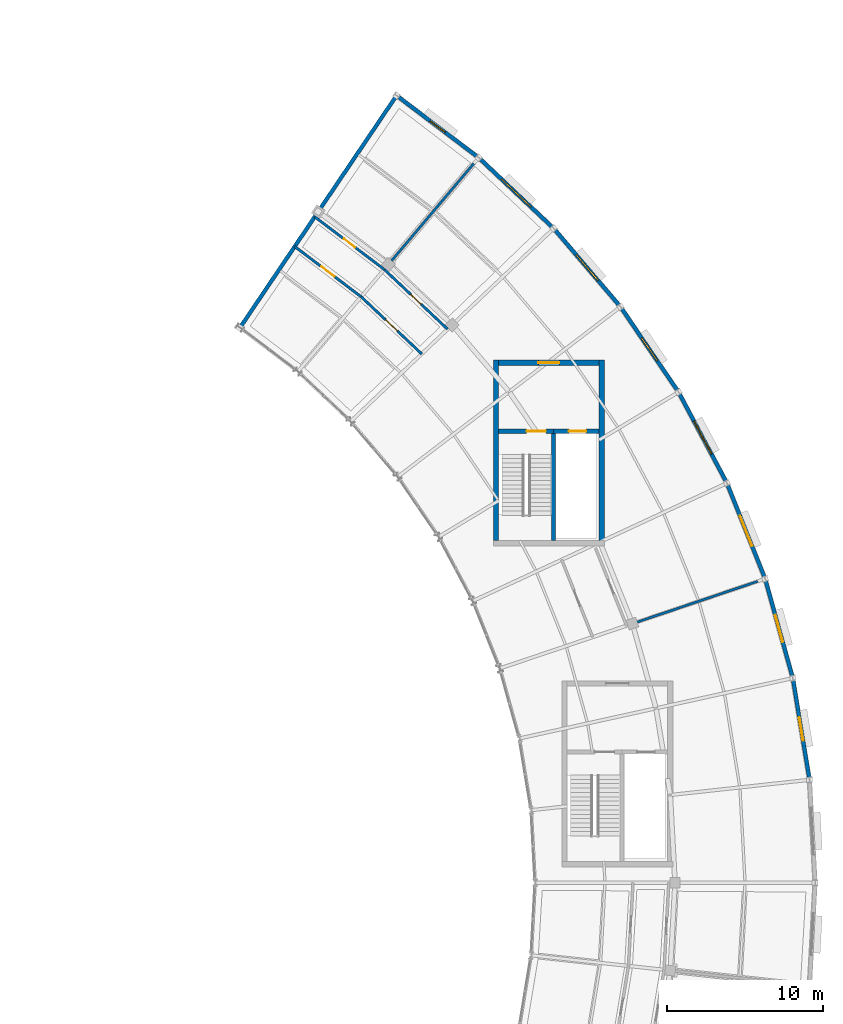
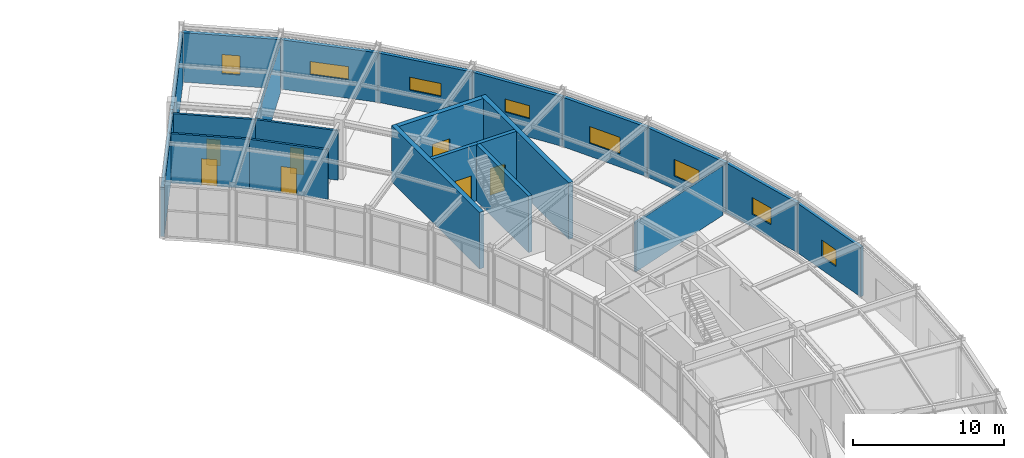
# One storey, part 95 of 108: 22 walls, 8 windows, 7 doors, 15 openings.
"""IFC4 building model written with IfcOpenShell, lengths in metres."""

from ifc_helpers import new_model, si_unit, direction, frame, frame_2d, origin, place, context, subcontext, project, spatial, rectangle, extrude, material, layer, layer_set, type_object, element, fill, save


model = new_model("IFC4")

# Units and contexts
model_context = context("Model", 3, precision=1e-05, world=origin(), true_north=direction((0.0, 1.0)))
body_context = subcontext(model_context, "Body", "Model", "MODEL_VIEW")
ifc_project = project(units=[si_unit("LENGTHUNIT", "METRE"), si_unit("AREAUNIT", "SQUARE_METRE"), si_unit("VOLUMEUNIT", "CUBIC_METRE"), si_unit("PLANEANGLEUNIT", "RADIAN"), si_unit("MASSUNIT", "GRAM", prefix="KILO")], contexts=[model_context])

# Site, building, storey
site_placement = place(None, origin())
site = spatial("IfcSite", under=ifc_project, at=site_placement, CompositionType="ELEMENT")
building_placement = place(site_placement, origin())
building = spatial("IfcBuilding", under=site, at=building_placement, Name="Tarnveldt Headland Concert Hall", CompositionType="ELEMENT")
storey_placement = place(building_placement, frame((0.0, 0.0, 9.60009765625)))
storey = spatial("IfcBuildingStorey", under=building, at=storey_placement, Name="L02", CompositionType="ELEMENT", Elevation=9.60009765625)

# Wall, opening, door
ifc_material_1 = material(Name="Concrete C40/50", Category="concrete")
ifc_layer_1 = layer(ifc_material_1, 0.35009765625, Name="Concrete C40/50", Category="concrete")
ifc_layer_set_1 = layer_set([ifc_layer_1], Name="Concrete C40/50")
wall_type_1 = type_object("IfcWallType", Name="WL-CR350", PredefinedType="SHEAR", material=ifc_layer_set_1)
wall_1_placement = place(storey_placement, frame((158.175048828125, 93.39990234375, 0.0), z_axis=(0.0, 0.0, 1.0), x_axis=(1.0, 0.0, 0.0)))
wall_1 = element("IfcWall", 1, at=wall_1_placement, inside=storey, type_object=wall_type_1, Name="Core C3 north shear wall L02", PredefinedType="SHEAR", context=body_context, shape_type="SweptSolid", body=[
    extrude(rectangle(XDim=6.449951171875, YDim=0.35009765625, at=frame_2d((3.22509765625, 0.0))), origin(), (0.0, 0.0, 1.0), 4.5498046875),
])
opening_1_placement = place(wall_1_placement, frame((2.550048828125, 0.0, 0.0)))
opening_1 = element("IfcOpeningElement", 2, at=opening_1_placement, cuts=wall_1, Name="Opening FFD-C3-L02", PredefinedType="OPENING", context=body_context, shape_type="SweptSolid", body=[
    extrude(rectangle(XDim=1.35009765625, YDim=2.199951171875, at=frame_2d((0.675048828125, 1.10009765625))), frame((0.0, 0.18505859375, 0.0), z_axis=(0.0, -1.0, 0.0), x_axis=(1.0, 0.0, 0.0)), (0.0, 0.0, 1.0), 0.3701171875),
])
ifc_material_2 = material(Name="Galvanised painted steel sheet", Category="steel")
door_type_1 = type_object("IfcDoorType", Name="DR-FF135", OperationType="NOTDEFINED", PredefinedType="DOOR", material=ifc_material_2)
door_1_placement = place(opening_1_placement, origin())
door_1 = element("IfcDoor", 3, at=door_1_placement, inside=storey, type_object=door_type_1, Name="Core C3 firefighting lobby entrance door L02", OperationType="SINGLE_SWING_RIGHT", OverallHeight=2.199951171875, OverallWidth=1.35009765625, PredefinedType="DOOR", context=body_context, shape_type="SweptSolid", body=[
    extrude(rectangle(XDim=1.35009765625, YDim=2.199951171875, at=frame_2d((0.675048828125, 1.10009765625))), frame((0.0, 0.02490234375, 0.0), z_axis=(0.0, -1.0, 0.0), x_axis=(1.0, 0.0, 0.0)), (0.0, 0.0, 1.0), 0.050048828125),
])
fill(opening_1, door_1)

# Walls
for number, where, z_axis, x_axis, name in (
    (4, (158.0, 81.97509765625, 0.0), (0.0, 0.0, 1.0), (0.0, 1.0, 0.0), "Core C3 west shear wall L02"),
    (5, (164.800048828125, 81.97509765625, 0.0), (0.0, 0.0, 1.0), (0.0, 1.0, 0.0), "Core C3 east shear wall L02"),
):
    element("IfcWall", number, at=place(storey_placement, frame(where, z_axis=z_axis, x_axis=x_axis)), inside=storey, type_object=wall_type_1, Name=name, PredefinedType="SHEAR", context=body_context, shape_type="SweptSolid", body=[
        extrude(rectangle(XDim=11.599853515625, YDim=0.35009765625, at=frame_2d((5.7998046875, 0.0))), origin(), (0.0, 0.0, 1.0), 4.5498046875),
    ])

# Wall, opening, window
ifc_material_3 = material(Name="Coral-toned precast concrete C40/50", Category="concrete")
ifc_layer_2 = layer(ifc_material_3, 0.25, Name="Coral-toned precast concrete C40/50", Category="concrete")
ifc_layer_set_2 = layer_set([ifc_layer_2], Name="Coral-toned precast concrete C40/50")
wall_type_2 = type_object("IfcWallType", Name="WL-EX250", PredefinedType="SOLIDWALL", material=ifc_layer_set_2)
wall_2_placement = place(storey_placement, frame((177.070068359375, 73.12548828125, 0.0), z_axis=(0.0, 0.0, 1.0), x_axis=(0.162178892589, -0.986761372774, 0.0)))
wall_2 = element("IfcWall", 6, at=wall_2_placement, inside=storey, type_object=wall_type_2, Name="External precast wall L02-136", PredefinedType="SOLIDWALL", context=body_context, shape_type="SweptSolid", body=[
    extrude(rectangle(XDim=6.58154296875, YDim=0.25, at=frame_2d((3.290771484375, 0.0))), origin(), (0.0, 0.0, 1.0), 3.98779296875),
])
opening_2_placement = place(wall_2_placement, frame((2.540771484375, 0.0, 1.050048828125)))
opening_2 = element("IfcOpeningElement", 7, at=opening_2_placement, cuts=wall_2, Name="Opening W-C062", PredefinedType="OPENING", context=body_context, shape_type="SweptSolid", body=[
    extrude(rectangle(XDim=1.5, YDim=1.35009765625, at=frame_2d((0.75, 0.675048828125))), frame((0.0, 0.135009765625, 0.0), z_axis=(0.0, -1.0, 0.0), x_axis=(1.0, 0.0, 0.0)), (0.0, 0.0, 1.0), 0.27001953125),
])
ifc_material_4 = material(Name="Acoustic laminated low-iron double glazing", Category="glass")
window_type_1 = type_object("IfcWindowType", Name="WN-17", PartitioningType="SINGLE_PANEL", PredefinedType="WINDOW", material=ifc_material_4)
window_1_placement = place(opening_2_placement, origin())
window_1 = element("IfcWindow", 8, at=window_1_placement, inside=storey, type_object=window_type_1, Name="Crescent coastal studio window L02-11", OverallHeight=1.35009765625, OverallWidth=1.5, PartitioningType="SINGLE_PANEL", PredefinedType="WINDOW", context=body_context, shape_type="SweptSolid", body=[
    extrude(rectangle(XDim=1.5, YDim=1.35009765625, at=frame_2d((0.75, 0.675048828125))), frame((0.0, 0.030029296875, 0.0), z_axis=(0.0, -1.0, 0.0), x_axis=(1.0, 0.0, 0.0)), (0.0, 0.0, 1.0), 0.06005859375),
])
fill(opening_2, window_1)

wall_3_placement = place(storey_placement, frame((175.296630859375, 79.50439453125, 0.0), z_axis=(0.0, 0.0, 1.0), x_axis=(0.268139380464, -0.96338012884, 0.0)))
wall_3 = element("IfcWall", 9, at=wall_3_placement, inside=storey, type_object=wall_type_2, Name="External precast wall L02-137", PredefinedType="SOLIDWALL", context=body_context, shape_type="SweptSolid", body=[
    extrude(rectangle(XDim=6.5810546875, YDim=0.25, at=frame_2d((3.29052734375, 0.0))), origin(), (0.0, 0.0, 1.0), 3.98779296875),
])
opening_3_placement = place(wall_3_placement, frame((2.390625, 0.0, 1.050048828125)))
opening_3 = element("IfcOpeningElement", 10, at=opening_3_placement, cuts=wall_3, Name="Opening W-C063", PredefinedType="OPENING", context=body_context, shape_type="SweptSolid", body=[
    extrude(rectangle(XDim=1.800048828125, YDim=1.35009765625, at=frame_2d((0.89990234375, 0.675048828125))), frame((0.0, 0.135009765625, 0.0), z_axis=(0.0, -1.0, 0.0), x_axis=(1.0, 0.0, 0.0)), (0.0, 0.0, 1.0), 0.27001953125),
])
window_type_2 = type_object("IfcWindowType", Name="WN-18", PartitioningType="SINGLE_PANEL", PredefinedType="WINDOW", material=ifc_material_4)
window_2_placement = place(opening_3_placement, origin())
window_2 = element("IfcWindow", 11, at=window_2_placement, inside=storey, type_object=window_type_2, Name="Crescent coastal studio window L02-12", OverallHeight=1.35009765625, OverallWidth=1.800048828125, PartitioningType="SINGLE_PANEL", PredefinedType="WINDOW", context=body_context, shape_type="SweptSolid", body=[
    extrude(rectangle(XDim=1.800048828125, YDim=1.35009765625, at=frame_2d((0.89990234375, 0.675048828125))), frame((0.0, 0.030029296875, 0.0), z_axis=(0.0, -1.0, 0.0), x_axis=(1.0, 0.0, 0.0)), (0.0, 0.0, 1.0), 0.06005859375),
])
fill(opening_3, window_2)

wall_4_placement = place(storey_placement, frame((172.842041015625, 85.65380859375, 0.0), z_axis=(0.0, 0.0, 1.0), x_axis=(0.371013273361, -0.928627563122, 0.0)))
wall_4 = element("IfcWall", 12, at=wall_4_placement, inside=storey, type_object=wall_type_2, Name="External precast wall L02-138", PredefinedType="SOLIDWALL", context=body_context, shape_type="SweptSolid", body=[
    extrude(rectangle(XDim=6.5810546875, YDim=0.25, at=frame_2d((3.29052734375, 0.0))), origin(), (0.0, 0.0, 1.0), 3.98779296875),
])
opening_4_placement = place(wall_4_placement, frame((2.240478515625, 0.0, 1.050048828125)))
opening_4 = element("IfcOpeningElement", 13, at=opening_4_placement, cuts=wall_4, Name="Opening W-C064", PredefinedType="OPENING", context=body_context, shape_type="SweptSolid", body=[
    extrude(rectangle(XDim=2.10009765625, YDim=1.35009765625, at=frame_2d((1.050048828125, 0.675048828125))), frame((0.0, 0.135009765625, 0.0), z_axis=(0.0, -1.0, 0.0), x_axis=(1.0, 0.0, 0.0)), (0.0, 0.0, 1.0), 0.27001953125),
])
window_type_3 = type_object("IfcWindowType", Name="WN-19", PartitioningType="SINGLE_PANEL", PredefinedType="WINDOW", material=ifc_material_4)
window_3_placement = place(opening_4_placement, origin())
window_3 = element("IfcWindow", 14, at=window_3_placement, inside=storey, type_object=window_type_3, Name="Crescent coastal studio window L02-13", OverallHeight=1.35009765625, OverallWidth=2.10009765625, PartitioningType="SINGLE_PANEL", PredefinedType="WINDOW", context=body_context, shape_type="SweptSolid", body=[
    extrude(rectangle(XDim=2.10009765625, YDim=1.35009765625, at=frame_2d((1.050048828125, 0.675048828125))), frame((0.0, 0.030029296875, 0.0), z_axis=(0.0, -1.0, 0.0), x_axis=(1.0, 0.0, 0.0)), (0.0, 0.0, 1.0), 0.06005859375),
])
fill(opening_4, window_3)

wall_5_placement = place(storey_placement, frame((169.735595703125, 91.5009765625, 0.0), z_axis=(0.0, 0.0, 1.0), x_axis=(0.469465310576, -0.882950917189, 0.0)))
wall_5 = element("IfcWall", 15, at=wall_5_placement, inside=storey, type_object=wall_type_2, Name="External precast wall L02-139", PredefinedType="SOLIDWALL", context=body_context, shape_type="SweptSolid", body=[
    extrude(rectangle(XDim=6.5810546875, YDim=0.25, at=frame_2d((3.29052734375, 0.0))), origin(), (0.0, 0.0, 1.0), 3.98779296875),
])
opening_5_placement = place(wall_5_placement, frame((2.090576171875, 0.0, 1.050048828125)))
opening_5 = element("IfcOpeningElement", 16, at=opening_5_placement, cuts=wall_5, Name="Opening W-C065", PredefinedType="OPENING", context=body_context, shape_type="SweptSolid", body=[
    extrude(rectangle(XDim=2.39990234375, YDim=1.35009765625, at=frame_2d((1.199951171875, 0.675048828125))), frame((0.0, 0.135009765625, 0.0), z_axis=(0.0, -1.0, 0.0), x_axis=(1.0, 0.0, 0.0)), (0.0, 0.0, 1.0), 0.27001953125),
])
window_type_4 = type_object("IfcWindowType", Name="WN-20", PartitioningType="SINGLE_PANEL", PredefinedType="WINDOW", material=ifc_material_4)
window_4_placement = place(opening_5_placement, origin())
window_4 = element("IfcWindow", 17, at=window_4_placement, inside=storey, type_object=window_type_4, Name="Crescent coastal studio window L02-14", OverallHeight=1.35009765625, OverallWidth=2.39990234375, PartitioningType="SINGLE_PANEL", PredefinedType="WINDOW", context=body_context, shape_type="SweptSolid", body=[
    extrude(rectangle(XDim=2.39990234375, YDim=1.35009765625, at=frame_2d((1.199951171875, 0.675048828125))), frame((0.0, 0.030029296875, 0.0), z_axis=(0.0, -1.0, 0.0), x_axis=(1.0, 0.0, 0.0)), (0.0, 0.0, 1.0), 0.06005859375),
])
fill(opening_5, window_4)

wall_6_placement = place(storey_placement, frame((166.013671875, 96.97705078125, 0.0), z_axis=(0.0, 0.0, 1.0), x_axis=(0.56240640933, -0.826860950067, 0.0)))
wall_6 = element("IfcWall", 18, at=wall_6_placement, inside=storey, type_object=wall_type_2, Name="External precast wall L02-140", PredefinedType="SOLIDWALL", context=body_context, shape_type="SweptSolid", body=[
    extrude(rectangle(XDim=6.581298828125, YDim=0.25, at=frame_2d((3.29052734375, 0.0))), origin(), (0.0, 0.0, 1.0), 3.98779296875),
])
opening_6_placement = place(wall_6_placement, frame((2.390625, 0.0, 1.5)))
opening_6 = element("IfcOpeningElement", 19, at=opening_6_placement, cuts=wall_6, Name="Opening W-C066", PredefinedType="OPENING", context=body_context, shape_type="SweptSolid", body=[
    extrude(rectangle(XDim=1.800048828125, YDim=1.050048828125, at=frame_2d((0.89990234375, 0.52490234375))), frame((0.0, 0.135009765625, 0.0), z_axis=(0.0, -1.0, 0.0), x_axis=(1.0, 0.0, 0.0)), (0.0, 0.0, 1.0), 0.27001953125),
])
window_type_5 = type_object("IfcWindowType", Name="WN-24", PartitioningType="SINGLE_PANEL", PredefinedType="WINDOW", material=ifc_material_4)
window_5_placement = place(opening_6_placement, origin())
window_5 = element("IfcWindow", 20, at=window_5_placement, inside=storey, type_object=window_type_5, Name="Crescent coastal studio window L02-15", OverallHeight=1.050048828125, OverallWidth=1.800048828125, PartitioningType="SINGLE_PANEL", PredefinedType="WINDOW", context=body_context, shape_type="SweptSolid", body=[
    extrude(rectangle(XDim=1.800048828125, YDim=1.050048828125, at=frame_2d((0.89990234375, 0.52490234375))), frame((0.0, 0.030029296875, 0.0), z_axis=(0.0, -1.0, 0.0), x_axis=(1.0, 0.0, 0.0)), (0.0, 0.0, 1.0), 0.06005859375),
])
fill(opening_6, window_5)

wall_7_placement = place(storey_placement, frame((161.72021484375, 102.017333984375, 0.0), z_axis=(0.0, 0.0, 1.0), x_axis=(0.648708464949, -0.761037007973, 0.0)))
wall_7 = element("IfcWall", 21, at=wall_7_placement, inside=storey, type_object=wall_type_2, Name="External precast wall L02-141", PredefinedType="SOLIDWALL", context=body_context, shape_type="SweptSolid", body=[
    extrude(rectangle(XDim=6.581298828125, YDim=0.25, at=frame_2d((3.29052734375, 0.0))), origin(), (0.0, 0.0, 1.0), 3.98779296875),
])
opening_7_placement = place(wall_7_placement, frame((2.190673828125, 0.0, 1.5)))
opening_7 = element("IfcOpeningElement", 22, at=opening_7_placement, cuts=wall_7, Name="Opening W-C067", PredefinedType="OPENING", context=body_context, shape_type="SweptSolid", body=[
    extrude(rectangle(XDim=2.199951171875, YDim=1.050048828125, at=frame_2d((1.10009765625, 0.52490234375))), frame((0.0, 0.135009765625, 0.0), z_axis=(0.0, -1.0, 0.0), x_axis=(1.0, 0.0, 0.0)), (0.0, 0.0, 1.0), 0.27001953125),
])
window_type_6 = type_object("IfcWindowType", Name="WN-25", PartitioningType="SINGLE_PANEL", PredefinedType="WINDOW", material=ifc_material_4)
window_6_placement = place(opening_7_placement, origin())
window_6 = element("IfcWindow", 23, at=window_6_placement, inside=storey, type_object=window_type_6, Name="Crescent coastal studio window L02-16", OverallHeight=1.050048828125, OverallWidth=2.199951171875, PartitioningType="SINGLE_PANEL", PredefinedType="WINDOW", context=body_context, shape_type="SweptSolid", body=[
    extrude(rectangle(XDim=2.199951171875, YDim=1.050048828125, at=frame_2d((1.10009765625, 0.52490234375))), frame((0.0, 0.030029296875, 0.0), z_axis=(0.0, -1.0, 0.0), x_axis=(1.0, 0.0, 0.0)), (0.0, 0.0, 1.0), 0.06005859375),
])
fill(opening_7, window_6)

wall_8_placement = place(storey_placement, frame((156.905517578125, 106.5625, 0.0), z_axis=(0.0, 0.0, 1.0), x_axis=(0.727377231984, -0.686237832235, 0.0)))
wall_8 = element("IfcWall", 24, at=wall_8_placement, inside=storey, type_object=wall_type_2, Name="External precast wall L02-142", PredefinedType="SOLIDWALL", context=body_context, shape_type="SweptSolid", body=[
    extrude(rectangle(XDim=6.581298828125, YDim=0.25, at=frame_2d((3.29052734375, 0.0))), origin(), (0.0, 0.0, 1.0), 3.98779296875),
])
opening_8_placement = place(wall_8_placement, frame((1.99072265625, 0.0, 1.5)))
opening_8 = element("IfcOpeningElement", 25, at=opening_8_placement, cuts=wall_8, Name="Opening W-C068", PredefinedType="OPENING", context=body_context, shape_type="SweptSolid", body=[
    extrude(rectangle(XDim=2.60009765625, YDim=1.050048828125, at=frame_2d((1.300048828125, 0.52490234375))), frame((0.0, 0.135009765625, 0.0), z_axis=(0.0, -1.0, 0.0), x_axis=(1.0, 0.0, 0.0)), (0.0, 0.0, 1.0), 0.27001953125),
])
window_type_7 = type_object("IfcWindowType", Name="WN-26", PartitioningType="SINGLE_PANEL", PredefinedType="WINDOW", material=ifc_material_4)
window_7_placement = place(opening_8_placement, origin())
window_7 = element("IfcWindow", 26, at=window_7_placement, inside=storey, type_object=window_type_7, Name="Crescent coastal studio window L02-17", OverallHeight=1.050048828125, OverallWidth=2.60009765625, PartitioningType="SINGLE_PANEL", PredefinedType="WINDOW", context=body_context, shape_type="SweptSolid", body=[
    extrude(rectangle(XDim=2.60009765625, YDim=1.050048828125, at=frame_2d((1.300048828125, 0.52490234375))), frame((0.0, 0.030029296875, 0.0), z_axis=(0.0, -1.0, 0.0), x_axis=(1.0, 0.0, 0.0)), (0.0, 0.0, 1.0), 0.06005859375),
])
fill(opening_8, window_7)

wall_9_placement = place(storey_placement, frame((151.626708984375, 110.55908203125, 0.0), z_axis=(0.0, 0.0, 1.0), x_axis=(0.797477783019, -0.603348311998, 0.0)))
wall_9 = element("IfcWall", 27, at=wall_9_placement, inside=storey, type_object=wall_type_2, Name="External precast wall L02-143", PredefinedType="SOLIDWALL", context=body_context, shape_type="SweptSolid", body=[
    extrude(rectangle(XDim=6.5810546875, YDim=0.25, at=frame_2d((3.29052734375, 0.0))), origin(), (0.0, 0.0, 1.0), 3.98779296875),
])
opening_9_placement = place(wall_9_placement, frame((2.690673828125, 0.0, 0.89990234375)))
opening_9 = element("IfcOpeningElement", 28, at=opening_9_placement, cuts=wall_9, Name="Opening W-C069", PredefinedType="OPENING", context=body_context, shape_type="SweptSolid", body=[
    extrude(rectangle(XDim=1.199951171875, YDim=1.550048828125, at=frame_2d((0.60009765625, 0.77490234375))), frame((0.0, 0.135009765625, 0.0), z_axis=(0.0, -1.0, 0.0), x_axis=(1.0, 0.0, 0.0)), (0.0, 0.0, 1.0), 0.27001953125),
])
window_type_8 = type_object("IfcWindowType", Name="WN-01", PartitioningType="SINGLE_PANEL", PredefinedType="WINDOW", material=ifc_material_4)
window_8_placement = place(opening_9_placement, origin())
window_8 = element("IfcWindow", 29, at=window_8_placement, inside=storey, type_object=window_type_8, Name="Crescent coastal studio window L02-18", OverallHeight=1.550048828125, OverallWidth=1.199951171875, PartitioningType="SINGLE_PANEL", PredefinedType="WINDOW", context=body_context, shape_type="SweptSolid", body=[
    extrude(rectangle(XDim=1.199951171875, YDim=1.550048828125, at=frame_2d((0.60009765625, 0.77490234375))), frame((0.0, 0.030029296875, 0.0), z_axis=(0.0, -1.0, 0.0), x_axis=(1.0, 0.0, 0.0)), (0.0, 0.0, 1.0), 0.06005859375),
])
fill(opening_9, window_8)

# Walls
wall_10_placement = place(storey_placement, frame((141.556396484375, 95.665283203125, 0.0), z_axis=(0.0, 0.0, 1.0), x_axis=(0.559200466777, 0.829032470991, 0.0)))
element("IfcWall", 30, at=wall_10_placement, inside=storey, type_object=wall_type_2, Name="External precast wall L02-146", PredefinedType="SOLIDWALL", context=body_context, shape_type="SweptSolid", body=[
    extrude(rectangle(XDim=8.960205078125, YDim=0.25, at=frame_2d((4.47998046875, 0.0))), origin(), (0.0, 0.0, 1.0), 3.98779296875),
])
wall_11_placement = place(storey_placement, frame((146.589111328125, 103.126708984375, 0.0), z_axis=(0.0, 0.0, 1.0), x_axis=(0.559213098812, 0.829023950268, 0.0)))
element("IfcWall", 31, at=wall_11_placement, inside=storey, type_object=wall_type_2, Name="External precast wall L02-147", PredefinedType="SOLIDWALL", context=body_context, shape_type="SweptSolid", body=[
    extrude(rectangle(XDim=8.9599609375, YDim=0.25, at=frame_2d((4.47998046875, 0.0))), origin(), (0.0, 0.0, 1.0), 3.98779296875),
])
ifc_material_5 = material(Name="Acoustic multi-layer gypsum and mineral-wool partition", Category="gypsum")
ifc_layer_3 = layer(ifc_material_5, 0.14990234375, Name="Acoustic multi-layer gypsum and mineral-wool partition", Category="gypsum")
ifc_layer_set_3 = layer_set([ifc_layer_3], Name="Acoustic multi-layer gypsum and mineral-wool partition")
wall_type_3 = type_object("IfcWallType", Name="WL-PT150", PredefinedType="PARTITIONING", material=ifc_layer_set_3)
for number, where, z_axis, x_axis, name in (
    (32, (166.5751953125, 76.5791015625, 0.0), (0.0, 0.0, 1.0), (0.947390199596, 0.320080942435, 0.0), "Interior acoustic partition L02-201"),
    (33, (150.9501953125, 99.5517578125, 0.0), (0.0, 0.0, 1.0), (0.645745976221, 0.763552312677, 0.0), "Interior acoustic partition L02-206"),
):
    element("IfcWall", number, at=place(storey_placement, frame(where, z_axis=z_axis, x_axis=x_axis)), inside=storey, type_object=wall_type_3, Name=name, PredefinedType="PARTITIONING", context=body_context, shape_type="SweptSolid", body=[
        extrude(rectangle(XDim=8.699951171875, YDim=0.14990234375, at=frame_2d((4.35009765625, 0.0))), origin(), (0.0, 0.0, 1.0), 3.989990234375),
    ])

# Wall, opening, door
ifc_layer_4 = layer(ifc_material_5, 0.1650390625, Name="Acoustic multi-layer gypsum and mineral-wool partition", Category="gypsum")
ifc_layer_set_4 = layer_set([ifc_layer_4], Name="Acoustic multi-layer gypsum and mineral-wool partition")
wall_type_4 = type_object("IfcWallType", Name="WL-PT165", PredefinedType="PARTITIONING", material=ifc_layer_set_4)
wall_12_placement = place(storey_placement, frame((153.22802734375, 93.970458984375, 0.0), z_axis=(0.0, 0.0, 1.0), x_axis=(-0.7273609966, 0.68625504051, 0.0)))
wall_12 = element("IfcWall", 34, at=wall_12_placement, inside=storey, type_object=wall_type_4, Name="Interior acoustic partition L02-202", PredefinedType="PARTITIONING", context=body_context, shape_type="SweptSolid", body=[
    extrude(rectangle(XDim=5.351318359375, YDim=0.1650390625, at=frame_2d((2.67578125, 0.0))), origin(), (0.0, 0.0, 1.0), 3.989990234375),
])
opening_10_placement = place(wall_12_placement, frame((2.150634765625, 0.0, 0.0)))
opening_10 = element("IfcOpeningElement", 35, at=opening_10_placement, cuts=wall_12, Name="Opening D-L02-207", PredefinedType="OPENING", context=body_context, shape_type="SweptSolid", body=[
    extrude(rectangle(XDim=1.050048828125, YDim=2.14990234375, at=frame_2d((0.52490234375, 1.074951171875))), frame((0.0, 0.092529296875, 0.0), z_axis=(0.0, -1.0, 0.0), x_axis=(1.0, 0.0, 0.0)), (0.0, 0.0, 1.0), 0.18505859375),
])
ifc_material_6 = material(Name="Treated East African mvule hardwood", Category="wood")
door_type_2 = type_object("IfcDoorType", Name="DR-RM105", OperationType="NOTDEFINED", PredefinedType="DOOR", material=ifc_material_6)
door_2_placement = place(opening_10_placement, origin())
door_2 = element("IfcDoor", 36, at=door_2_placement, inside=storey, type_object=door_type_2, Name="Interior room door L02-207", OperationType="SINGLE_SWING_LEFT", OverallHeight=2.14990234375, OverallWidth=1.050048828125, PredefinedType="DOOR", context=body_context, shape_type="SweptSolid", body=[
    extrude(rectangle(XDim=1.050048828125, YDim=2.14990234375, at=frame_2d((0.52490234375, 1.074951171875))), frame((0.0, 0.02490234375, 0.0), z_axis=(0.0, -1.0, 0.0), x_axis=(1.0, 0.0, 0.0)), (0.0, 0.0, 1.0), 0.050048828125),
])
fill(opening_10, door_2)

wall_13_placement = place(storey_placement, frame((154.89501953125, 95.555419921875, 0.0), z_axis=(0.0, 0.0, 1.0), x_axis=(-0.727402273239, 0.686211288807, 0.0)))
wall_13 = element("IfcWall", 37, at=wall_13_placement, inside=storey, type_object=wall_type_4, Name="Interior acoustic partition L02-203", PredefinedType="PARTITIONING", context=body_context, shape_type="SweptSolid", body=[
    extrude(rectangle(XDim=5.60107421875, YDim=0.1650390625, at=frame_2d((2.800537109375, 0.0))), origin(), (0.0, 0.0, 1.0), 3.989990234375),
])
opening_11_placement = place(wall_13_placement, frame((2.340576171875, 0.0, 0.0)))
opening_11 = element("IfcOpeningElement", 38, at=opening_11_placement, cuts=wall_13, Name="Opening D-L02-208", PredefinedType="OPENING", context=body_context, shape_type="SweptSolid", body=[
    extrude(rectangle(XDim=0.919921875, YDim=2.10009765625, at=frame_2d((0.4599609375, 1.050048828125))), frame((0.0, 0.092529296875, 0.0), z_axis=(0.0, -1.0, 0.0), x_axis=(1.0, 0.0, 0.0)), (0.0, 0.0, 1.0), 0.18505859375),
])
door_type_3 = type_object("IfcDoorType", Name="DR-WC092", OperationType="NOTDEFINED", PredefinedType="DOOR", material=ifc_material_6)
door_3_placement = place(opening_11_placement, origin())
door_3 = element("IfcDoor", 39, at=door_3_placement, inside=storey, type_object=door_type_3, Name="Interior room door L02-208", OperationType="SINGLE_SWING_RIGHT", OverallHeight=2.10009765625, OverallWidth=0.919921875, PredefinedType="DOOR", context=body_context, shape_type="SweptSolid", body=[
    extrude(rectangle(XDim=0.919921875, YDim=2.10009765625, at=frame_2d((0.4599609375, 1.050048828125))), frame((0.0, 0.02490234375, 0.0), z_axis=(0.0, -1.0, 0.0), x_axis=(1.0, 0.0, 0.0)), (0.0, 0.0, 1.0), 0.050048828125),
])
fill(opening_11, door_3)

wall_14_placement = place(storey_placement, frame((149.335693359375, 97.642822265625, 0.0), z_axis=(0.0, 0.0, 1.0), x_axis=(-0.797474612376, 0.603352502784, 0.0)))
wall_14 = element("IfcWall", 40, at=wall_14_placement, inside=storey, type_object=wall_type_4, Name="Interior acoustic partition L02-204", PredefinedType="PARTITIONING", context=body_context, shape_type="SweptSolid", body=[
    extrude(rectangle(XDim=5.351318359375, YDim=0.1650390625, at=frame_2d((2.67578125, 0.0))), origin(), (0.0, 0.0, 1.0), 3.989990234375),
])
opening_12_placement = place(wall_14_placement, frame((2.150634765625, 0.0, 0.0)))
opening_12 = element("IfcOpeningElement", 41, at=opening_12_placement, cuts=wall_14, Name="Opening D-L02-209", PredefinedType="OPENING", context=body_context, shape_type="SweptSolid", body=[
    extrude(rectangle(XDim=1.050048828125, YDim=2.14990234375, at=frame_2d((0.52490234375, 1.074951171875))), frame((0.0, 0.092529296875, 0.0), z_axis=(0.0, -1.0, 0.0), x_axis=(1.0, 0.0, 0.0)), (0.0, 0.0, 1.0), 0.18505859375),
])
door_4_placement = place(opening_12_placement, origin())
door_4 = element("IfcDoor", 42, at=door_4_placement, inside=storey, type_object=door_type_2, Name="Interior room door L02-209", OperationType="SINGLE_SWING_LEFT", OverallHeight=2.14990234375, OverallWidth=1.050048828125, PredefinedType="DOOR", context=body_context, shape_type="SweptSolid", body=[
    extrude(rectangle(XDim=1.050048828125, YDim=2.14990234375, at=frame_2d((0.52490234375, 1.074951171875))), frame((0.0, 0.02490234375, 0.0), z_axis=(0.0, -1.0, 0.0), x_axis=(1.0, 0.0, 0.0)), (0.0, 0.0, 1.0), 0.050048828125),
])
fill(opening_12, door_4)

wall_15_placement = place(storey_placement, frame((150.82080078125, 99.39892578125, 0.0), z_axis=(0.0, 0.0, 1.0), x_axis=(-0.797450601932, 0.603384237015, 0.0)))
wall_15 = element("IfcWall", 43, at=wall_15_placement, inside=storey, type_object=wall_type_4, Name="Interior acoustic partition L02-205", PredefinedType="PARTITIONING", context=body_context, shape_type="SweptSolid", body=[
    extrude(rectangle(XDim=5.600830078125, YDim=0.1650390625, at=frame_2d((2.80029296875, 0.0))), origin(), (0.0, 0.0, 1.0), 3.989990234375),
])
opening_13_placement = place(wall_15_placement, frame((2.34033203125, 0.0, 0.0)))
opening_13 = element("IfcOpeningElement", 44, at=opening_13_placement, cuts=wall_15, Name="Opening D-L02-210", PredefinedType="OPENING", context=body_context, shape_type="SweptSolid", body=[
    extrude(rectangle(XDim=0.919921875, YDim=2.10009765625, at=frame_2d((0.4599609375, 1.050048828125))), frame((0.0, 0.092529296875, 0.0), z_axis=(0.0, -1.0, 0.0), x_axis=(1.0, 0.0, 0.0)), (0.0, 0.0, 1.0), 0.18505859375),
])
door_5_placement = place(opening_13_placement, origin())
door_5 = element("IfcDoor", 45, at=door_5_placement, inside=storey, type_object=door_type_3, Name="Interior room door L02-210", OperationType="SINGLE_SWING_RIGHT", OverallHeight=2.10009765625, OverallWidth=0.919921875, PredefinedType="DOOR", context=body_context, shape_type="SweptSolid", body=[
    extrude(rectangle(XDim=0.919921875, YDim=2.10009765625, at=frame_2d((0.4599609375, 1.050048828125))), frame((0.0, 0.02490234375, 0.0), z_axis=(0.0, -1.0, 0.0), x_axis=(1.0, 0.0, 0.0)), (0.0, 0.0, 1.0), 0.050048828125),
])
fill(opening_13, door_5)

# Wall
ifc_layer_5 = layer(ifc_material_1, 0.27490234375, Name="Concrete C40/50", Category="concrete")
ifc_layer_set_5 = layer_set([ifc_layer_5], Name="Concrete C40/50")
wall_type_5 = type_object("IfcWallType", Name="WL-SH275", PredefinedType="SHEAR", material=ifc_layer_set_5)
wall_16_placement = place(storey_placement, frame((161.699951171875, 81.97509765625, 0.0), z_axis=(0.0, 0.0, 1.0), x_axis=(0.0, 1.0, 0.0)))
element("IfcWall", 46, at=wall_16_placement, inside=storey, type_object=wall_type_5, Name="Core C3 shaft divider wall L02", PredefinedType="SHEAR", context=body_context, shape_type="SweptSolid", body=[
    extrude(rectangle(XDim=6.887451171875, YDim=0.27490234375, at=frame_2d((3.44384765625, 0.0))), origin(), (0.0, 0.0, 1.0), 4.5498046875),
])

# Wall, opening, door
wall_17_placement = place(storey_placement, frame((158.175048828125, 89.0, 0.0), z_axis=(0.0, 0.0, 1.0), x_axis=(1.0, 0.0, 0.0)))
wall_17 = element("IfcWall", 47, at=wall_17_placement, inside=storey, type_object=wall_type_5, Name="Core C3 stair enclosure wall L02", PredefinedType="SHEAR", context=body_context, shape_type="SweptSolid", body=[
    extrude(rectangle(XDim=3.52490234375, YDim=0.27490234375, at=frame_2d((1.762451171875, 0.0))), origin(), (0.0, 0.0, 1.0), 4.5498046875),
])
opening_14_placement = place(wall_17_placement, frame((1.784912109375, 0.0, 0.0)))
opening_14 = element("IfcOpeningElement", 48, at=opening_14_placement, cuts=wall_17, Name="Opening SD-C3-L02", PredefinedType="OPENING", context=body_context, shape_type="SweptSolid", body=[
    extrude(rectangle(XDim=1.25, YDim=2.14990234375, at=frame_2d((0.625, 1.074951171875))), frame((0.0, 0.1474609375, 0.0), z_axis=(0.0, -1.0, 0.0), x_axis=(1.0, 0.0, 0.0)), (0.0, 0.0, 1.0), 0.294921875),
])
door_type_4 = type_object("IfcDoorType", Name="DR-ST125", OperationType="NOTDEFINED", PredefinedType="DOOR", material=ifc_material_2)
door_6_placement = place(opening_14_placement, origin())
door_6 = element("IfcDoor", 49, at=door_6_placement, inside=storey, type_object=door_type_4, Name="Core C3 stair fire door L02", OperationType="SINGLE_SWING_RIGHT", OverallHeight=2.14990234375, OverallWidth=1.25, PredefinedType="DOOR", context=body_context, shape_type="SweptSolid", body=[
    extrude(rectangle(XDim=1.25, YDim=2.14990234375, at=frame_2d((0.625, 1.074951171875))), frame((0.0, 0.02490234375, 0.0), z_axis=(0.0, -1.0, 0.0), x_axis=(1.0, 0.0, 0.0)), (0.0, 0.0, 1.0), 0.050048828125),
])
fill(opening_14, door_6)

wall_18_placement = place(storey_placement, frame((161.699951171875, 89.0, 0.0), z_axis=(0.0, 0.0, 1.0), x_axis=(1.0, 0.0, 0.0)))
wall_18 = element("IfcWall", 50, at=wall_18_placement, inside=storey, type_object=wall_type_5, Name="Core C3 lift shaft front wall L02", PredefinedType="SHEAR", context=body_context, shape_type="SweptSolid", body=[
    extrude(rectangle(XDim=2.925048828125, YDim=0.27490234375, at=frame_2d((1.46240234375, 0.0))), origin(), (0.0, 0.0, 1.0), 4.5498046875),
])
opening_15_placement = place(wall_18_placement, frame((0.982421875, 0.0, 0.0)))
opening_15 = element("IfcOpeningElement", 51, at=opening_15_placement, cuts=wall_18, Name="Opening LD-FFL-02-L02", PredefinedType="OPENING", context=body_context, shape_type="SweptSolid", body=[
    extrude(rectangle(XDim=1.10009765625, YDim=2.14990234375, at=frame_2d((0.550048828125, 1.074951171875))), frame((0.0, 0.1474609375, 0.0), z_axis=(0.0, -1.0, 0.0), x_axis=(1.0, 0.0, 0.0)), (0.0, 0.0, 1.0), 0.294921875),
])
door_type_5 = type_object("IfcDoorType", Name="LD-110", OperationType="NOTDEFINED", PredefinedType="DOOR", material=ifc_material_2)
door_7_placement = place(opening_15_placement, origin())
door_7 = element("IfcDoor", 52, at=door_7_placement, inside=storey, type_object=door_type_5, Name="Lift FFL-02 sliding landing door L02", OperationType="DOUBLE_DOOR_SLIDING", OverallHeight=2.14990234375, OverallWidth=1.10009765625, PredefinedType="DOOR", context=body_context, shape_type="SweptSolid", body=[
    extrude(rectangle(XDim=1.10009765625, YDim=2.14990234375, at=frame_2d((0.550048828125, 1.074951171875))), frame((0.0, 0.02490234375, 0.0), z_axis=(0.0, -1.0, 0.0), x_axis=(1.0, 0.0, 0.0)), (0.0, 0.0, 1.0), 0.050048828125),
])
fill(opening_15, door_7)

save(model, "model.ifc")
